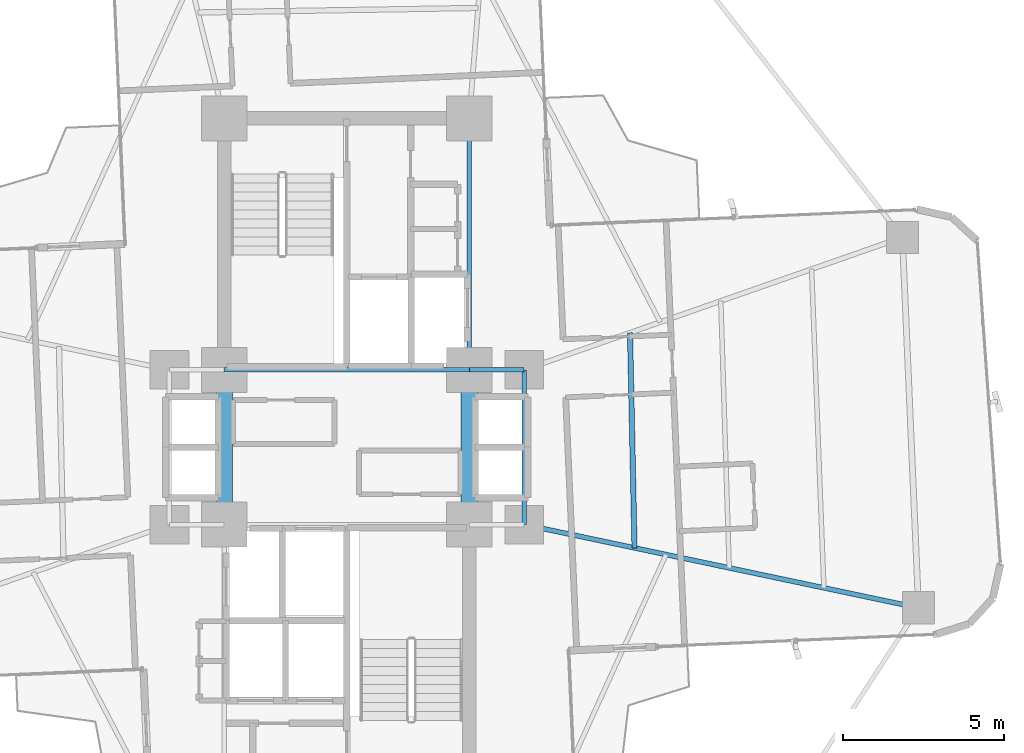
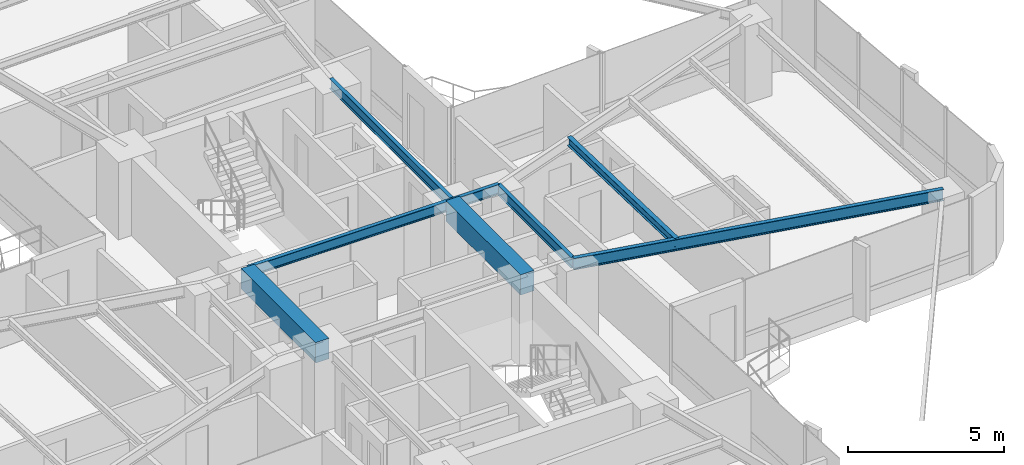
# One storey, part 12 of 26: 8 beams.
"""IFC4 building model written with IfcOpenShell, lengths in metres."""

from ifc_helpers import new_model, si_unit, direction, frame, origin, origin_2d, place, context, subcontext, project, spatial, rectangle, i_section, extrude, source, transform, mapped, material, material_profile, profile_set, type_object, element, save


model = new_model("IFC4")

# Units and contexts
model_context = context("Model", 3, precision=1e-05, world=origin(), true_north=direction((0.0, 1.0)))
body_context = subcontext(model_context, "Body", "Model", "MODEL_VIEW")
ifc_project = project(units=[si_unit("LENGTHUNIT", "METRE"), si_unit("AREAUNIT", "SQUARE_METRE"), si_unit("VOLUMEUNIT", "CUBIC_METRE"), si_unit("PLANEANGLEUNIT", "RADIAN"), si_unit("MASSUNIT", "GRAM", prefix="KILO")], contexts=[model_context])

# Site, building, storey
site_placement = place(None, origin())
site = spatial("IfcSite", under=ifc_project, at=site_placement, CompositionType="ELEMENT")
building_placement = place(site_placement, origin())
building = spatial("IfcBuilding", under=site, at=building_placement, Name="Sahyath Konkavel Grand Hotel", CompositionType="ELEMENT")
storey_placement = place(building_placement, frame((0.0, 0.0, 134.89990234375)))
storey = spatial("IfcBuildingStorey", under=building, at=storey_placement, Name="L37", CompositionType="ELEMENT", Elevation=134.89990234375)

# Beams
ifc_material_1 = material(Name="Steel E350", Category="steel")
ifc_material_profile_1 = material_profile(ifc_material_1, i_section(OverallWidth=0.139892578125, OverallDepth=0.39990234375, WebThickness=0.0087890625, FlangeThickness=0.01611328125, FilletRadius=0.013916015625, at=origin_2d()), Name="ISMB 400")
ifc_profile_set_1 = profile_set([ifc_material_profile_1], Name="Steel E350")
beam_type_1 = type_object("IfcBeamType", Name="BM-ISMB400", PredefinedType="BEAM", material=ifc_profile_set_1)
shared_shape_1 = source(origin(), body_context, "Body", "SweptSolid", [
    extrude(i_section(OverallWidth=0.139892578125, OverallDepth=0.39990234375, WebThickness=0.0087890625, FlangeThickness=0.01611328125, FilletRadius=0.013916015625, at=origin_2d()), origin(), (0.0, 0.0, 1.0), 7.60009765625),
])
beam_1_placement = place(storey_placement, frame((-3.800048828125, 2.39990234375, 2.830078125), z_axis=(1.0, 0.0, 0.0), x_axis=(0.0, 1.0, 0.0)))
element("IfcBeam", 1, at=beam_1_placement, inside=storey, type_object=beam_type_1, Name="str:bm:L37:NC-S", PredefinedType="BEAM", context=body_context, shape_type="MappedRepresentation", body=[
    mapped(shared_shape_1, transform((0.0, 0.0, 0.0), scale=1.0)),
])
shared_shape_2 = source(origin(), body_context, "Body", "SweptSolid", [
    extrude(i_section(OverallWidth=0.139892578125, OverallDepth=0.39990234375, WebThickness=0.0087890625, FlangeThickness=0.01611328125, FilletRadius=0.013916015625, at=origin_2d()), origin(), (0.0, 0.0, 1.0), 7.800048828125),
])
beam_2_placement = place(storey_placement, frame((3.800048828125, 2.39990234375, 2.830078125), z_axis=(0.0, 1.0, 0.0), x_axis=(-1.0, 0.0, 0.0)))
element("IfcBeam", 2, at=beam_2_placement, inside=storey, type_object=beam_type_1, Name="str:bm:L37:NC-E", PredefinedType="BEAM", context=body_context, shape_type="MappedRepresentation", body=[
    mapped(shared_shape_2, transform((0.0, 0.0, 0.0), scale=1.0)),
])
shared_shape_3 = source(origin(), body_context, "Body", "SweptSolid", [
    extrude(i_section(OverallWidth=0.139892578125, OverallDepth=0.39990234375, WebThickness=0.0087890625, FlangeThickness=0.01611328125, FilletRadius=0.013916015625, at=origin_2d()), origin(), (0.0, 0.0, 1.0), 1.699951171875),
])
beam_3_placement = place(storey_placement, frame((3.800048828125, 2.39990234375, 2.830078125), z_axis=(1.0, 0.0, 0.0), x_axis=(0.0, 1.0, 0.0)))
element("IfcBeam", 3, at=beam_3_placement, inside=storey, type_object=beam_type_1, Name="str:bm:L37:HB-NE", PredefinedType="BEAM", context=body_context, shape_type="MappedRepresentation", body=[
    mapped(shared_shape_3, transform((0.0, 0.0, 0.0), scale=1.0)),
])
shared_shape_4 = source(origin(), body_context, "Body", "SweptSolid", [
    extrude(i_section(OverallWidth=0.139892578125, OverallDepth=0.39990234375, WebThickness=0.0087890625, FlangeThickness=0.01611328125, FilletRadius=0.013916015625, at=origin_2d()), origin(), (0.0, 0.0, 1.0), 4.7998046875),
])
beam_4_placement = place(storey_placement, frame((5.5, -2.39990234375, 2.830078125), z_axis=(0.0, 1.0, 0.0), x_axis=(-1.0, 0.0, 0.0)))
element("IfcBeam", 4, at=beam_4_placement, inside=storey, type_object=beam_type_1, Name="str:bm:L37:HB-E", PredefinedType="BEAM", context=body_context, shape_type="MappedRepresentation", body=[
    mapped(shared_shape_4, transform((0.0, 0.0, 0.0), scale=1.0)),
])
ifc_material_2 = material(Name="Concrete C50/60", Category="concrete")
ifc_material_profile_2 = material_profile(ifc_material_2, rectangle(XDim=0.5, YDim=0.800048828125, at=origin_2d()), Name="RC 500x800")
ifc_profile_set_2 = profile_set([ifc_material_profile_2], Name="Concrete C50/60")
beam_type_2 = type_object("IfcBeamType", Name="BM-CB500x800", PredefinedType="LINTEL", material=ifc_profile_set_2)
shared_shape_5 = source(origin(), body_context, "Body", "SweptSolid", [
    extrude(rectangle(XDim=0.5, YDim=0.800048828125, at=origin_2d()), origin(), (0.0, 0.0, 1.0), 4.7998046875),
])
for number, where, z_axis, x_axis, name in (
    (5, (-3.800048828125, -2.39990234375, 2.630126953125), (0.0, 1.0, 0.0), (-1.0, 0.0, 0.0), "L37 Split-Core Coupling Beam West"),
    (6, (3.800048828125, -2.39990234375, 2.630126953125), (0.0, 1.0, 0.0), (-1.0, 0.0, 0.0), "L37 Split-Core Coupling Beam East"),
):
    element("IfcBeam", number, at=place(storey_placement, frame(where, z_axis=z_axis, x_axis=x_axis)), inside=storey, type_object=beam_type_2, Name=name, PredefinedType="LINTEL", context=body_context, shape_type="MappedRepresentation", body=[
        mapped(shared_shape_5, transform((0.0, 0.0, 0.0), scale=1.0)),
    ])
ifc_material_profile_3 = material_profile(ifc_material_1, i_section(OverallWidth=0.14990234375, OverallDepth=0.449951171875, WebThickness=0.009521484375, FlangeThickness=0.017333984375, FilletRadius=0.014892578125, at=origin_2d()), Name="ISMB 450")
ifc_profile_set_3 = profile_set([ifc_material_profile_3], Name="Steel E350")
beam_type_3 = type_object("IfcBeamType", Name="BM-ISMB450", PredefinedType="BEAM", material=ifc_profile_set_3)
shared_shape_6 = source(origin(), body_context, "Body", "SweptSolid", [
    extrude(i_section(OverallWidth=0.14990234375, OverallDepth=0.449951171875, WebThickness=0.009521484375, FlangeThickness=0.017333984375, FilletRadius=0.014892578125, at=origin_2d()), origin(), (0.0, 0.0, 1.0), 12.50341796875),
])
beam_5_placement = place(storey_placement, frame((5.5, -2.39990234375, 2.80517578125), z_axis=(0.978457911392, -0.206446398937, 0.0), x_axis=(0.206446398937, 0.978457911392, 0.0)))
element("IfcBeam", 7, at=beam_5_placement, inside=storey, type_object=beam_type_3, Name="L37 Cruciform Radial Girder EA", PredefinedType="BEAM", context=body_context, shape_type="MappedRepresentation", body=[
    mapped(shared_shape_6, transform((0.0, 0.0, 0.0), scale=1.0)),
])
ifc_material_profile_4 = material_profile(ifc_material_1, i_section(OverallWidth=0.1650390625, OverallDepth=0.324951171875, WebThickness=0.007080078125, FlangeThickness=0.009765625, FilletRadius=0.014892578125, at=origin_2d()), Name="ISLB 325")
ifc_profile_set_4 = profile_set([ifc_material_profile_4], Name="Steel E350")
beam_type_4 = type_object("IfcBeamType", Name="BM-ISLB325", PredefinedType="BEAM", material=ifc_profile_set_4)
shared_shape_7 = source(origin(), body_context, "Body", "SweptSolid", [
    extrude(i_section(OverallWidth=0.1650390625, OverallDepth=0.324951171875, WebThickness=0.007080078125, FlangeThickness=0.009765625, FilletRadius=0.014892578125, at=origin_2d()), origin(), (0.0, 0.0, 1.0), 6.674560546875),
])
beam_6_placement = place(storey_placement, frame((8.925537109375, -3.122802734375, 2.86767578125), z_axis=(-0.021032188543, 0.999778799058, 0.0), x_axis=(-0.999778799058, -0.021032188543, 0.0)))
element("IfcBeam", 8, at=beam_6_placement, inside=storey, type_object=beam_type_4, Name="L37 Secondary Floor Beam E-1", PredefinedType="BEAM", context=body_context, shape_type="MappedRepresentation", body=[
    mapped(shared_shape_7, transform((0.0, 0.0, 0.0), scale=1.0)),
])

save(model, "model.ifc")
